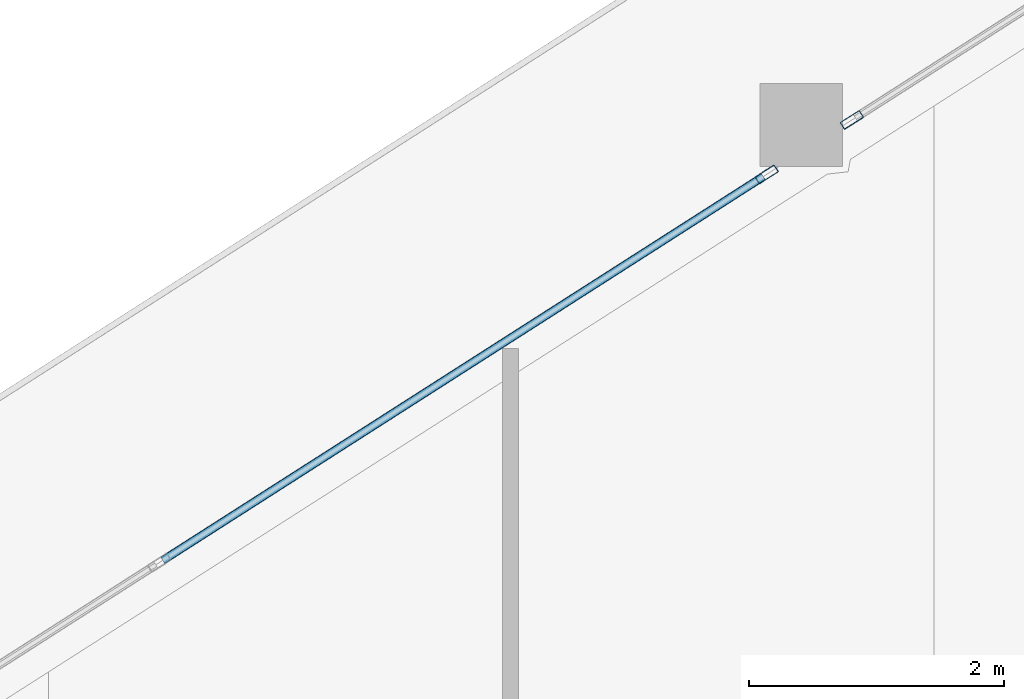
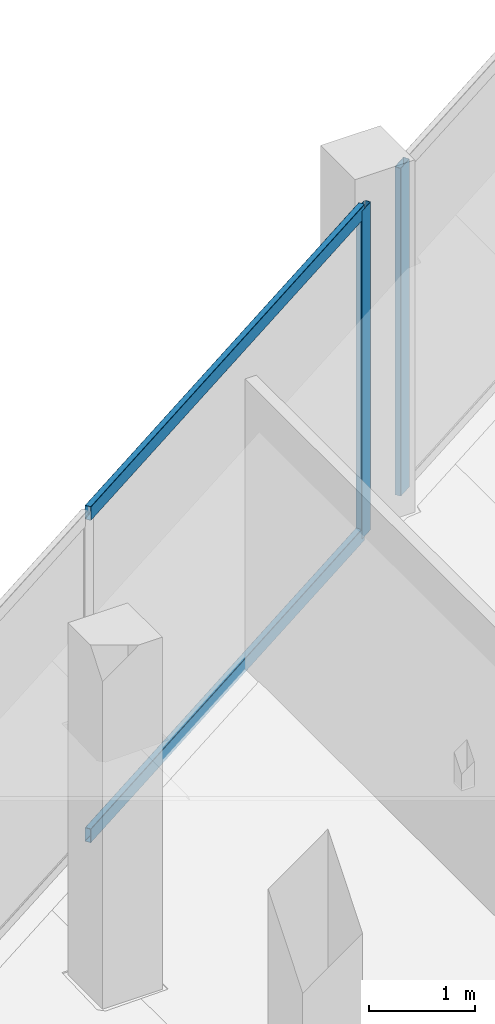
# One storey, part 20 of 42: 4 members, 2 elements without a shape of their own.
"""IFC4 building model written with IfcOpenShell, lengths in metres."""

from ifc_helpers import new_model, si_unit, direction, frame, origin, origin_2d, place, context, subcontext, project, spatial, hollow_rectangle, extrude, material, layer, layer_set, material_profile, profile_set, type_object, element, aggregate, save


model = new_model("IFC4")

# Units and contexts
model_context = context("Model", 3, precision=1e-05, world=origin(), true_north=direction((0.0, 1.0)))
body_context = subcontext(model_context, "Body", "Model", "MODEL_VIEW")
ifc_project = project(units=[si_unit("LENGTHUNIT", "METRE"), si_unit("AREAUNIT", "SQUARE_METRE"), si_unit("VOLUMEUNIT", "CUBIC_METRE"), si_unit("PLANEANGLEUNIT", "RADIAN"), si_unit("MASSUNIT", "GRAM", prefix="KILO")], contexts=[model_context])

# Site, building, storey
site_placement = place(None, origin())
site = spatial("IfcSite", under=ifc_project, at=site_placement, CompositionType="ELEMENT")
building_placement = place(site_placement, origin())
building = spatial("IfcBuilding", under=site, at=building_placement, Name="Qorvath Tower", CompositionType="ELEMENT")
storey_placement = place(building_placement, frame((0.0, 0.0, 121.949951171875)))
storey = spatial("IfcBuildingStorey", under=building, at=storey_placement, Name="L27", CompositionType="ELEMENT", Elevation=121.949951171875)

# Curtain wall, member
ifc_material_1 = material(Name="Anodised aluminium and triple low-E glass", Category="aluminium")
ifc_layer = layer(ifc_material_1, 0.179931640625)
ifc_layer_set = layer_set([ifc_layer], Name="CW-SYS-2")
curtain_wall_type = type_object("IfcCurtainWallType", Name="CW-SYS-2", PredefinedType="NOTDEFINED", material=ifc_layer_set)
curtain_wall_1_placement = place(storey_placement, origin())
curtain_wall_1 = element("IfcCurtainWall", 1, at=curtain_wall_1_placement, inside=storey, type_object=curtain_wall_type, Name="Curtain Wall CW-2 CW-T-L27-16.1", PredefinedType="NOTDEFINED")
ifc_material_2 = material(Name="Anodised aluminium 6063-T6", Category="aluminium")
ifc_material_profile_1 = material_profile(ifc_material_2, hollow_rectangle(XDim=0.06494140625, YDim=0.179931640625, WallThickness=0.00341796875, InnerFilletRadius=0.00341796875, OuterFilletRadius=0.007080078125, at=origin_2d()), Name="CWM 180x65")
ifc_profile_set_1 = profile_set([ifc_material_profile_1], Name="Anodised aluminium 6063-T6")
member_type_1 = type_object("IfcMemberType", Name="CWM-180", PredefinedType="MULLION", material=ifc_profile_set_1)
member_1_placement = place(storey_placement, frame((-24.64013671875, 25.09912109375, 0.0), z_axis=(0.0, 0.0, 1.0), x_axis=(0.538548392681, -0.842594581481, 0.0)))
member_1 = element("IfcMember", 2, at=member_1_placement, type_object=member_type_1, Name="CW-2 mullion 3", PredefinedType="MULLION", context=body_context, shape_type="SweptSolid", body=[
    extrude(hollow_rectangle(XDim=0.06494140625, YDim=0.179931640625, WallThickness=0.00341796875, InnerFilletRadius=0.00341796875, OuterFilletRadius=0.007080078125, at=origin_2d()), origin(), (0.0, 0.0, 1.0), 3.77001953125),
])
aggregate(curtain_wall_1, [member_1])

# Curtain wall, members
curtain_wall_2_placement = place(storey_placement, origin())
curtain_wall_2 = element("IfcCurtainWall", 3, at=curtain_wall_2_placement, inside=storey, type_object=curtain_wall_type, Name="Curtain Wall CW-2 CW-T-L27-16.2", PredefinedType="NOTDEFINED")
member_2_placement = place(storey_placement, frame((-25.3095703125, 24.671142578125, 0.0), z_axis=(0.0, 0.0, 1.0), x_axis=(0.538529520478, -0.842606643442, 0.0)))
member_2 = element("IfcMember", 4, at=member_2_placement, type_object=member_type_1, Name="CW-2 mullion 1", PredefinedType="MULLION", context=body_context, shape_type="SweptSolid", body=[
    extrude(hollow_rectangle(XDim=0.06494140625, YDim=0.179931640625, WallThickness=0.00341796875, InnerFilletRadius=0.00341796875, OuterFilletRadius=0.007080078125, at=origin_2d()), origin(), (0.0, 0.0, 1.0), 3.77001953125),
])
ifc_material_3 = material(Name="Anodised aluminium 6063-T6", Category="aluminium")
ifc_material_profile_2 = material_profile(ifc_material_3, hollow_rectangle(XDim=0.06494140625, YDim=0.159912109375, WallThickness=0.00341796875, InnerFilletRadius=0.00341796875, OuterFilletRadius=0.007080078125, at=origin_2d()), Name="CWT 160x65")
ifc_profile_set_2 = profile_set([ifc_material_profile_2], Name="Anodised aluminium 6063-T6")
member_type_2 = type_object("IfcMemberType", Name="CWT-160", PredefinedType="USERDEFINED", material=ifc_profile_set_2)
member_3_placement = place(storey_placement, frame((-25.3369140625, 24.65380859375, 0.032470703125), z_axis=(-0.842602272664, -0.538536359127, 0.0), x_axis=(0.538536359127, -0.842602272664, 0.0)))
member_3 = element("IfcMember", 5, at=member_3_placement, type_object=member_type_2, Name="CW-2 transom 1.1", ObjectType="TRANSOM", PredefinedType="USERDEFINED", context=body_context, shape_type="SweptSolid", body=[
    extrude(hollow_rectangle(XDim=0.06494140625, YDim=0.159912109375, WallThickness=0.00341796875, InnerFilletRadius=0.00341796875, OuterFilletRadius=0.007080078125, at=origin_2d()), origin(), (0.0, 0.0, 1.0), 5.598876953125),
])
member_4_placement = place(storey_placement, frame((-25.3369140625, 24.65380859375, 3.737548828125), z_axis=(-0.842602272664, -0.538536359127, 0.0), x_axis=(0.538536359127, -0.842602272664, 0.0)))
member_4 = element("IfcMember", 6, at=member_4_placement, type_object=member_type_2, Name="CW-2 transom 1.2", ObjectType="TRANSOM", PredefinedType="USERDEFINED", context=body_context, shape_type="SweptSolid", body=[
    extrude(hollow_rectangle(XDim=0.06494140625, YDim=0.159912109375, WallThickness=0.00341796875, InnerFilletRadius=0.00341796875, OuterFilletRadius=0.007080078125, at=origin_2d()), origin(), (0.0, 0.0, 1.0), 5.598876953125),
])
aggregate(curtain_wall_2, [member_2, member_3, member_4])

save(model, "model.ifc")
